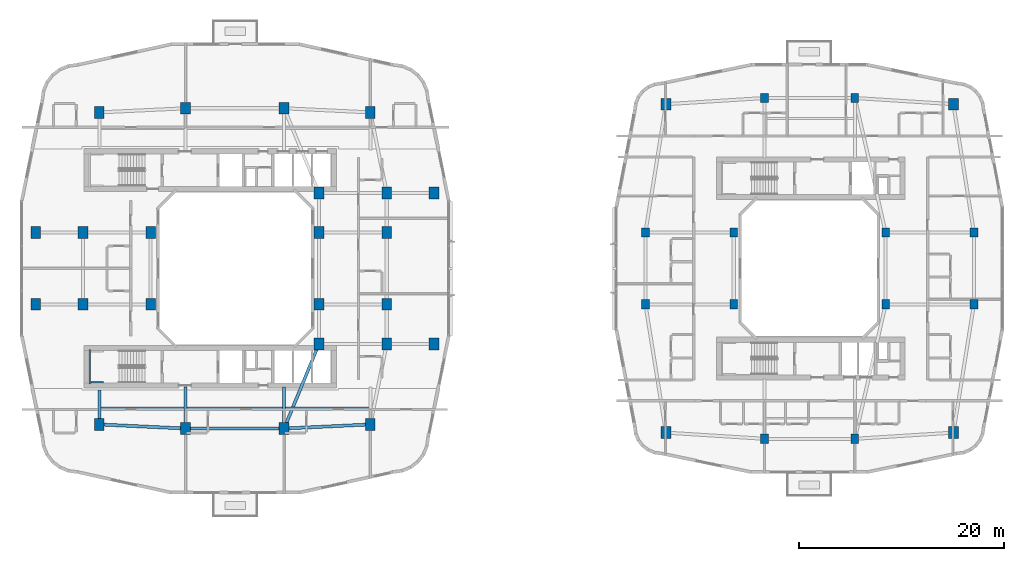
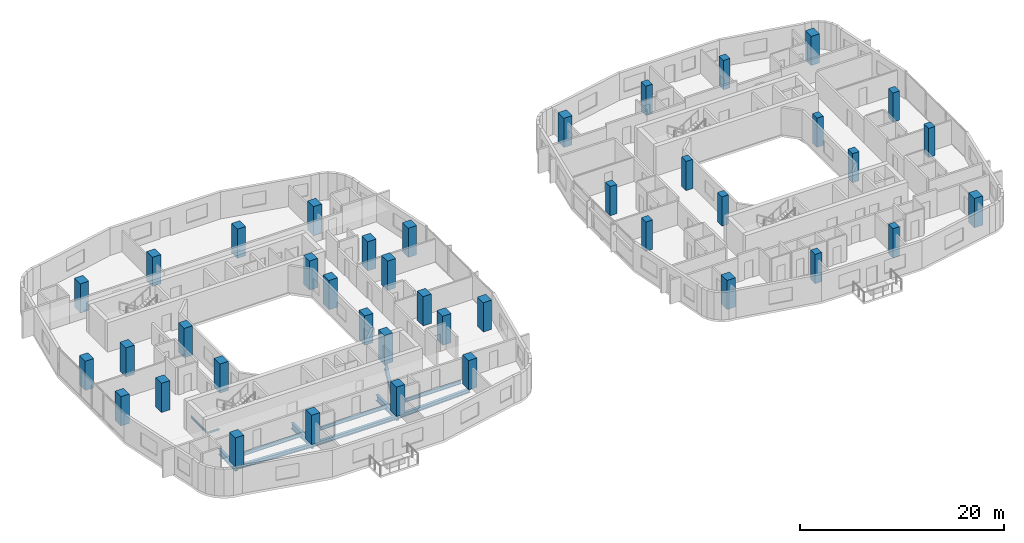
# One storey, part 1 of 22: 40 columns, 12 beams.
"""IFC4 building model written with IfcOpenShell, lengths in metres."""

from ifc_helpers import new_model, si_unit, derived_unit, direction, frame, origin, origin_2d, place, context, subcontext, project, spatial, rectangle, i_section, extrude, material, material_profile, profile_set, type_object, element, save


model = new_model("IFC4")

# Units and contexts
model_context = context("Model", 3, precision=1e-05, world=origin(), true_north=direction((0.0, 1.0)))
body_context = subcontext(model_context, "Body", "Model", "MODEL_VIEW")
ifc_project = project(units=[si_unit("LENGTHUNIT", "METRE"), si_unit("AREAUNIT", "SQUARE_METRE"), si_unit("VOLUMEUNIT", "CUBIC_METRE"), si_unit("PLANEANGLEUNIT", "RADIAN"), si_unit("MASSUNIT", "GRAM", prefix="KILO"), derived_unit("THERMALTRANSMITTANCEUNIT", [(si_unit("POWERUNIT", "WATT"), 1), (si_unit("LENGTHUNIT", "METRE"), -2), (si_unit("THERMODYNAMICTEMPERATUREUNIT", "KELVIN"), -1)])], contexts=[model_context])

# Site, building, storey
site_placement = place(None, origin())
site = spatial("IfcSite", under=ifc_project, at=site_placement, CompositionType="ELEMENT")
building_placement = place(site_placement, origin())
building = spatial("IfcBuilding", under=site, at=building_placement, Name="Kivonza Crest Hotel", CompositionType="ELEMENT")
storey_placement = place(building_placement, frame((0.0, 0.0, 59.0)))
storey = spatial("IfcBuildingStorey", under=building, at=storey_placement, Name="L15", CompositionType="ELEMENT", Elevation=59.0)

# Columns
ifc_material_1 = material(Name="Concrete C60/75", Category="concrete")
ifc_material_profile_1 = material_profile(ifc_material_1, rectangle(XDim=0.949951171875, YDim=1.14990234375, at=origin_2d()), Name="RC 1150x950")
ifc_profile_set_1 = profile_set([ifc_material_profile_1], Name="Concrete C60/75")
column_type_1 = type_object("IfcColumnType", Name="CL-RC-1150x950", PredefinedType="COLUMN", material=ifc_profile_set_1)
for number, where, z_axis, x_axis, name in (
    (1, (16.199951171875, 9.39990234375, 0.0), (0.0, 0.0, 1.0), (1.0, 0.0, 0.0), "Tower T1 L15 column S1"),
    (2, (25.800048828125, 9.39990234375, 0.0), (0.0, 0.0, 1.0), (1.0, 0.0, 0.0), "Tower T1 L15 column S2"),
    (3, (16.199951171875, 40.60009765625, 0.0), (0.0, 0.0, 1.0), (1.0, 0.0, 0.0), "Tower T1 L15 column N1"),
    (4, (25.800048828125, 40.60009765625, 0.0), (0.0, 0.0, 1.0), (1.0, 0.0, 0.0), "Tower T1 L15 column N2"),
    (5, (6.199951171875, 21.5, 0.0), (0.0, 0.0, 1.0), (1.0, 0.0, 0.0), "Tower T1 L15 column W1"),
    (6, (6.199951171875, 28.5, 0.0), (0.0, 0.0, 1.0), (1.0, 0.0, 0.0), "Tower T1 L15 column W2"),
    (7, (7.800048828125, 9.800048828125, 0.0), (0.0, 0.0, 1.0), (1.0, 0.0, 0.0), "Tower T1 L15 column SW"),
    (8, (34.199951171875, 9.800048828125, 0.0), (0.0, 0.0, 1.0), (1.0, 0.0, 0.0), "Tower T1 L15 column SE"),
    (9, (34.199951171875, 40.199951171875, 0.0), (0.0, 0.0, 1.0), (1.0, 0.0, 0.0), "Tower T1 L15 column NE"),
    (10, (7.800048828125, 40.199951171875, 0.0), (0.0, 0.0, 1.0), (1.0, 0.0, 0.0), "Tower T1 L15 column NW"),
    (11, (35.800048828125, 21.5, 0.0), (0.0, 0.0, 1.0), (1.0, 0.0, 0.0), "Tower T1 L15 column E1"),
    (12, (35.800048828125, 28.5, 0.0), (0.0, 0.0, 1.0), (1.0, 0.0, 0.0), "Tower T1 L15 column E2"),
    (13, (35.800048828125, 17.64990234375, 0.0), (0.0, 0.0, 1.0), (1.0, 0.0, 0.0), "Tower T1 L15 column PSE"),
    (14, (35.800048828125, 32.35009765625, 0.0), (0.0, 0.0, 1.0), (1.0, 0.0, 0.0), "Tower T1 L15 column PNE"),
    (15, (12.800048828125, 21.5, 0.0), (0.0, 0.0, 1.0), (1.0, 0.0, 0.0), "Tower T1 L15 column WL1"),
    (16, (12.800048828125, 28.5, 0.0), (0.0, 0.0, 1.0), (1.0, 0.0, 0.0), "Tower T1 L15 column WL2"),
    (17, (29.199951171875, 17.64990234375, 0.0), (0.0, 0.0, 1.0), (1.0, 0.0, 0.0), "Tower T1 L15 column TSE"),
    (18, (29.199951171875, 32.35009765625, 0.0), (0.0, 0.0, 1.0), (1.0, 0.0, 0.0), "Tower T1 L15 column TNE"),
    (19, (29.199951171875, 21.5, 0.0), (0.0, 0.0, 1.0), (1.0, 0.0, 0.0), "Tower T1 L15 column WR1"),
    (20, (29.199951171875, 28.5, 0.0), (0.0, 0.0, 1.0), (1.0, 0.0, 0.0), "Tower T1 L15 column WR2"),
    (21, (1.60009765625, 21.5, 0.0), (0.0, 0.0, 1.0), (1.0, 0.0, 0.0), "Tower T1 L15 column Z1W1"),
    (22, (1.60009765625, 28.5, 0.0), (0.0, 0.0, 1.0), (1.0, 0.0, 0.0), "Tower T1 L15 column Z1W2"),
    (23, (40.39990234375, 17.64990234375, 0.0), (0.0, 0.0, 1.0), (1.0, 0.0, 0.0), "Tower T1 L15 column Z1E1"),
    (24, (40.39990234375, 32.35009765625, 0.0), (0.0, 0.0, 1.0), (1.0, 0.0, 0.0), "Tower T1 L15 column Z1E2"),
    (25, (63.0, 9.0, 0.0), (0.0, 0.0, 1.0), (1.0, 0.0, 0.0), "Companion Tower T2 L15 column SW"),
    (26, (91.0, 9.0, 0.0), (0.0, 0.0, 1.0), (1.0, 0.0, 0.0), "Companion Tower T2 L15 column SE"),
    (27, (91.0, 41.0, 0.0), (0.0, 0.0, 1.0), (1.0, 0.0, 0.0), "Companion Tower T2 L15 column NE"),
    (28, (63.0, 41.0, 0.0), (0.0, 0.0, 1.0), (1.0, 0.0, 0.0), "Companion Tower T2 L15 column NW"),
):
    element("IfcColumn", number, at=place(storey_placement, frame(where, z_axis=z_axis, x_axis=x_axis)), inside=storey, type_object=column_type_1, Name=name, PredefinedType="COLUMN", context=body_context, shape_type="SweptSolid", body=[
        extrude(rectangle(XDim=0.949951171875, YDim=1.14990234375, at=origin_2d()), origin(), (0.0, 0.0, 1.0), 3.5),
    ])
ifc_material_2 = material(Name="Concrete C50/60", Category="concrete")
ifc_material_profile_2 = material_profile(ifc_material_2, rectangle(XDim=0.75, YDim=0.89990234375, at=origin_2d()), Name="RC 900x750")
ifc_profile_set_2 = profile_set([ifc_material_profile_2], Name="Concrete C50/60")
column_type_2 = type_object("IfcColumnType", Name="CL-RC-900x750", PredefinedType="COLUMN", material=ifc_profile_set_2)
for number, where, z_axis, x_axis, name in (
    (29, (72.60009765625, 8.39990234375, 0.0), (0.0, 0.0, 1.0), (1.0, 0.0, 0.0), "Companion Tower T2 L15 column S1"),
    (30, (81.39990234375, 8.39990234375, 0.0), (0.0, 0.0, 1.0), (1.0, 0.0, 0.0), "Companion Tower T2 L15 column S2"),
    (31, (72.60009765625, 41.60009765625, 0.0), (0.0, 0.0, 1.0), (1.0, 0.0, 0.0), "Companion Tower T2 L15 column N1"),
    (32, (81.39990234375, 41.60009765625, 0.0), (0.0, 0.0, 1.0), (1.0, 0.0, 0.0), "Companion Tower T2 L15 column N2"),
    (33, (61.0, 21.5, 0.0), (0.0, 0.0, 1.0), (1.0, 0.0, 0.0), "Companion Tower T2 L15 column W1"),
    (34, (61.0, 28.5, 0.0), (0.0, 0.0, 1.0), (1.0, 0.0, 0.0), "Companion Tower T2 L15 column W2"),
    (35, (93.0, 21.5, 0.0), (0.0, 0.0, 1.0), (1.0, 0.0, 0.0), "Companion Tower T2 L15 column E1"),
    (36, (93.0, 28.5, 0.0), (0.0, 0.0, 1.0), (1.0, 0.0, 0.0), "Companion Tower T2 L15 column E2"),
    (37, (69.60009765625, 21.5, 0.0), (0.0, 0.0, 1.0), (1.0, 0.0, 0.0), "Companion Tower T2 L15 column WL1"),
    (38, (69.60009765625, 28.5, 0.0), (0.0, 0.0, 1.0), (1.0, 0.0, 0.0), "Companion Tower T2 L15 column WL2"),
    (39, (84.39990234375, 21.5, 0.0), (0.0, 0.0, 1.0), (1.0, 0.0, 0.0), "Companion Tower T2 L15 column WR1"),
    (40, (84.39990234375, 28.5, 0.0), (0.0, 0.0, 1.0), (1.0, 0.0, 0.0), "Companion Tower T2 L15 column WR2"),
):
    element("IfcColumn", number, at=place(storey_placement, frame(where, z_axis=z_axis, x_axis=x_axis)), inside=storey, type_object=column_type_2, Name=name, PredefinedType="COLUMN", context=body_context, shape_type="SweptSolid", body=[
        extrude(rectangle(XDim=0.75, YDim=0.89990234375, at=origin_2d()), origin(), (0.0, 0.0, 1.0), 3.5),
    ])

# Beams
ifc_material_3 = material(Name="Steel S355", Category="steel")
ifc_material_profile_3 = material_profile(ifc_material_3, i_section(OverallWidth=0.300048828125, OverallDepth=0.449951171875, WebThickness=0.013916015625, FlangeThickness=0.02587890625, FilletRadius=0.027099609375, at=origin_2d()), Name="HEB 450")
ifc_profile_set_3 = profile_set([ifc_material_profile_3], Name="Steel S355")
beam_type_1 = type_object("IfcBeamType", Name="BM-HEB450", PredefinedType="SPANDREL", material=ifc_profile_set_3)
beam_1_placement = place(storey_placement, frame((16.199951171875, 9.39990234375, -0.5048828125), z_axis=(1.0, 0.0, 0.0), x_axis=(0.0, 1.0, 0.0)))
element("IfcBeam", 41, at=beam_1_placement, inside=storey, type_object=beam_type_1, Name="Tower T1 L15 perimeter spandrel S1-S2", PredefinedType="SPANDREL", context=body_context, shape_type="SweptSolid", body=[
    extrude(i_section(OverallWidth=0.300048828125, OverallDepth=0.449951171875, WebThickness=0.013916015625, FlangeThickness=0.02587890625, FilletRadius=0.027099609375, at=origin_2d()), origin(), (0.0, 0.0, 1.0), 9.60009765625),
])
for number, where, z_axis, x_axis, name in (
    (42, (25.800048828125, 9.39990234375, -0.5048828125), (0.998867283688, 0.047583080799, 0.0), (-0.047583080799, 0.998867283688, 0.0), "Tower T1 L15 perimeter spandrel S2-SE"),
    (43, (7.800048828125, 9.800048828125, -0.5048828125), (0.998867283688, -0.047583080799, 0.0), (0.047583080799, 0.998867283688, 0.0), "Tower T1 L15 perimeter spandrel SW-S1"),
):
    element("IfcBeam", number, at=place(storey_placement, frame(where, z_axis=z_axis, x_axis=x_axis)), inside=storey, type_object=beam_type_1, Name=name, PredefinedType="SPANDREL", context=body_context, shape_type="SweptSolid", body=[
        extrude(i_section(OverallWidth=0.300048828125, OverallDepth=0.449951171875, WebThickness=0.013916015625, FlangeThickness=0.02587890625, FilletRadius=0.027099609375, at=origin_2d()), origin(), (0.0, 0.0, 1.0), 8.409423828125),
    ])
ifc_material_profile_4 = material_profile(ifc_material_3, i_section(OverallWidth=0.300048828125, OverallDepth=0.699951171875, WebThickness=0.01708984375, FlangeThickness=0.031982421875, FilletRadius=0.027099609375, at=origin_2d()), Name="HEB 700")
ifc_profile_set_4 = profile_set([ifc_material_profile_4], Name="Steel S355")
beam_type_2 = type_object("IfcBeamType", Name="BM-HEB700", PredefinedType="BEAM", material=ifc_profile_set_4)
beam_2_placement = place(storey_placement, frame((25.800048828125, 9.39990234375, -0.6298828125), z_axis=(0.381022260404, 0.924565864109, 0.0), x_axis=(-0.924565864109, 0.381022260404, 0.0)))
element("IfcBeam", 44, at=beam_2_placement, inside=storey, type_object=beam_type_2, Name="Tower T1 L15 primary girder S1-TSE", PredefinedType="BEAM", context=body_context, shape_type="SweptSolid", body=[
    extrude(i_section(OverallWidth=0.300048828125, OverallDepth=0.699951171875, WebThickness=0.01708984375, FlangeThickness=0.031982421875, FilletRadius=0.027099609375, at=origin_2d()), origin(), (0.0, 0.0, 1.0), 8.923095703125),
])
beam_3_placement = place(storey_placement, frame((7.800048828125, 9.800048828125, -0.6298828125), z_axis=(0.0, 1.0, 0.0), x_axis=(-1.0, 0.0, 0.0)))
element("IfcBeam", 45, at=beam_3_placement, inside=storey, type_object=beam_type_2, Name="Tower T1 L15 radial core girder RSW", PredefinedType="BEAM", context=body_context, shape_type="SweptSolid", body=[
    extrude(i_section(OverallWidth=0.300048828125, OverallDepth=0.699951171875, WebThickness=0.01708984375, FlangeThickness=0.031982421875, FilletRadius=0.027099609375, at=origin_2d()), origin(), (0.0, 0.0, 1.0), 3.349853515625),
])
for number, where, z_axis, x_axis, name in (
    (46, (16.199951171875, 9.39990234375, -0.6298828125), (0.0, 1.0, 0.0), (-1.0, 0.0, 0.0), "Tower T1 L15 radial core girder RS1"),
    (47, (25.800048828125, 9.39990234375, -0.6298828125), (0.0, 1.0, 0.0), (-1.0, 0.0, 0.0), "Tower T1 L15 radial core girder RS2"),
):
    element("IfcBeam", number, at=place(storey_placement, frame(where, z_axis=z_axis, x_axis=x_axis)), inside=storey, type_object=beam_type_2, Name=name, PredefinedType="BEAM", context=body_context, shape_type="SweptSolid", body=[
        extrude(i_section(OverallWidth=0.300048828125, OverallDepth=0.699951171875, WebThickness=0.01708984375, FlangeThickness=0.031982421875, FilletRadius=0.027099609375, at=origin_2d()), origin(), (0.0, 0.0, 1.0), 4.050048828125),
    ])
ifc_material_profile_5 = material_profile(ifc_material_3, i_section(OverallWidth=0.179931640625, OverallDepth=0.39990234375, WebThickness=0.008544921875, FlangeThickness=0.013427734375, FilletRadius=0.02099609375, at=origin_2d()), Name="IPE 400")
ifc_profile_set_5 = profile_set([ifc_material_profile_5], Name="Steel S355")
beam_type_3 = type_object("IfcBeamType", Name="BM-IPE400", PredefinedType="JOIST", material=ifc_profile_set_5)
beam_4_placement = place(storey_placement, frame((7.8798828125, 11.39990234375, -0.47998046875), z_axis=(1.0, 0.0, 0.0), x_axis=(0.0, 1.0, 0.0)))
element("IfcBeam", 48, at=beam_4_placement, inside=storey, type_object=beam_type_3, Name="Tower T1 L15 South-West floor joist", PredefinedType="JOIST", context=body_context, shape_type="SweptSolid", body=[
    extrude(i_section(OverallWidth=0.179931640625, OverallDepth=0.39990234375, WebThickness=0.008544921875, FlangeThickness=0.013427734375, FilletRadius=0.02099609375, at=origin_2d()), origin(), (0.0, 0.0, 1.0), 8.240234375),
])
beam_5_placement = place(storey_placement, frame((16.280029296875, 11.39990234375, -0.47998046875), z_axis=(1.0, 0.0, 0.0), x_axis=(0.0, 1.0, 0.0)))
element("IfcBeam", 49, at=beam_5_placement, inside=storey, type_object=beam_type_3, Name="Tower T1 L15 South-Mid floor joist", PredefinedType="JOIST", context=body_context, shape_type="SweptSolid", body=[
    extrude(i_section(OverallWidth=0.179931640625, OverallDepth=0.39990234375, WebThickness=0.008544921875, FlangeThickness=0.013427734375, FilletRadius=0.02099609375, at=origin_2d()), origin(), (0.0, 0.0, 1.0), 9.43994140625),
])
beam_6_placement = place(storey_placement, frame((25.8798828125, 11.39990234375, -0.47998046875), z_axis=(1.0, 0.0, 0.0), x_axis=(0.0, 1.0, 0.0)))
element("IfcBeam", 50, at=beam_6_placement, inside=storey, type_object=beam_type_3, Name="Tower T1 L15 South-East floor joist", PredefinedType="JOIST", context=body_context, shape_type="SweptSolid", body=[
    extrude(i_section(OverallWidth=0.179931640625, OverallDepth=0.39990234375, WebThickness=0.008544921875, FlangeThickness=0.013427734375, FilletRadius=0.02099609375, at=origin_2d()), origin(), (0.0, 0.0, 1.0), 8.240234375),
])
ifc_material_profile_6 = material_profile(ifc_material_3, i_section(OverallWidth=0.1201171875, OverallDepth=0.239990234375, WebThickness=0.006103515625, FlangeThickness=0.009765625, FilletRadius=0.014892578125, at=origin_2d()), Name="IPE 240")
ifc_profile_set_6 = profile_set([ifc_material_profile_6], Name="Steel S355")
beam_type_4 = type_object("IfcBeamType", Name="BM-LLDG-240", PredefinedType="BEAM", material=ifc_profile_set_6)
beam_7_placement = place(storey_placement, frame((6.860107421875, 13.739990234375, 1.429931640625), z_axis=(0.0, 1.0, 0.0), x_axis=(-1.0, 0.0, 0.0)))
element("IfcBeam", 51, at=beam_7_placement, inside=storey, type_object=beam_type_4, Name="Stair ST-T1-S L15 West landing corbel", PredefinedType="BEAM", context=body_context, shape_type="SweptSolid", body=[
    extrude(i_section(OverallWidth=0.1201171875, OverallDepth=0.239990234375, WebThickness=0.006103515625, FlangeThickness=0.009765625, FilletRadius=0.014892578125, at=origin_2d()), origin(), (0.0, 0.0, 1.0), 3.360107421875),
])
beam_8_placement = place(storey_placement, frame((6.989990234375, 13.89990234375, 1.429931640625), z_axis=(1.0, 0.0, 0.0), x_axis=(0.0, 1.0, 0.0)))
element("IfcBeam", 52, at=beam_8_placement, inside=storey, type_object=beam_type_4, Name="Stair ST-T1-S L15 South landing corbel", PredefinedType="BEAM", context=body_context, shape_type="SweptSolid", body=[
    extrude(i_section(OverallWidth=0.1201171875, OverallDepth=0.239990234375, WebThickness=0.006103515625, FlangeThickness=0.009765625, FilletRadius=0.014892578125, at=origin_2d()), origin(), (0.0, 0.0, 1.0), 1.2099609375),
])

save(model, "model.ifc")
